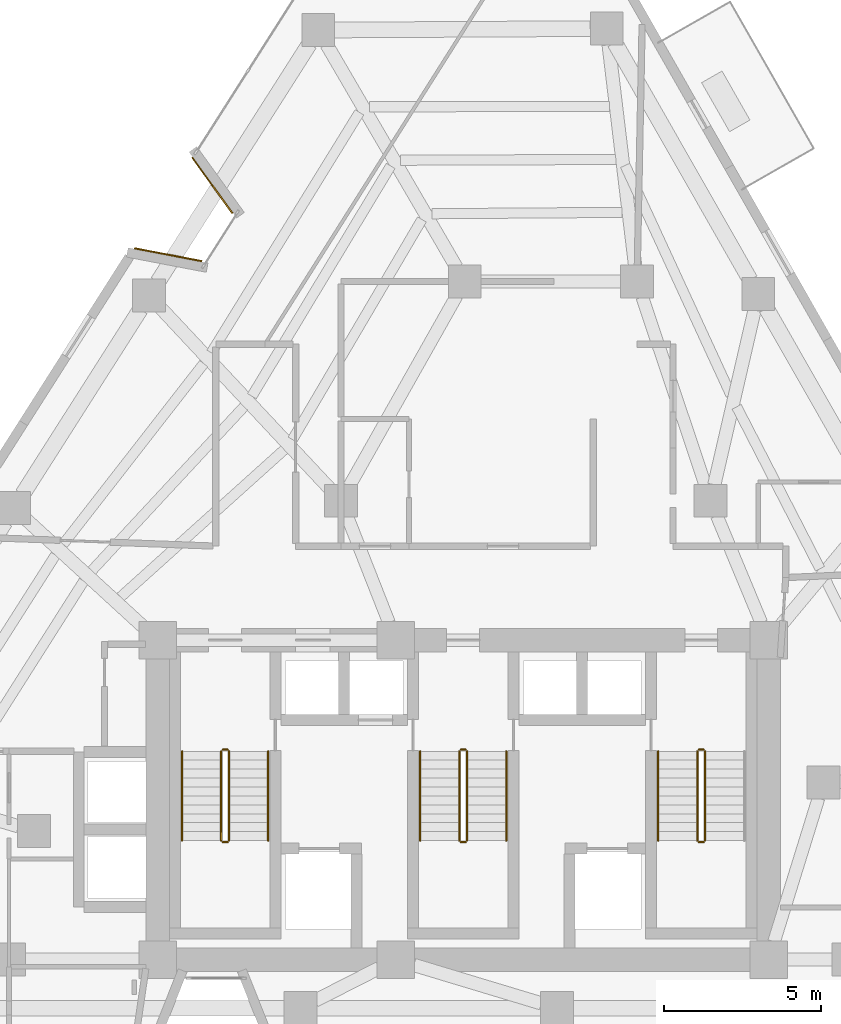
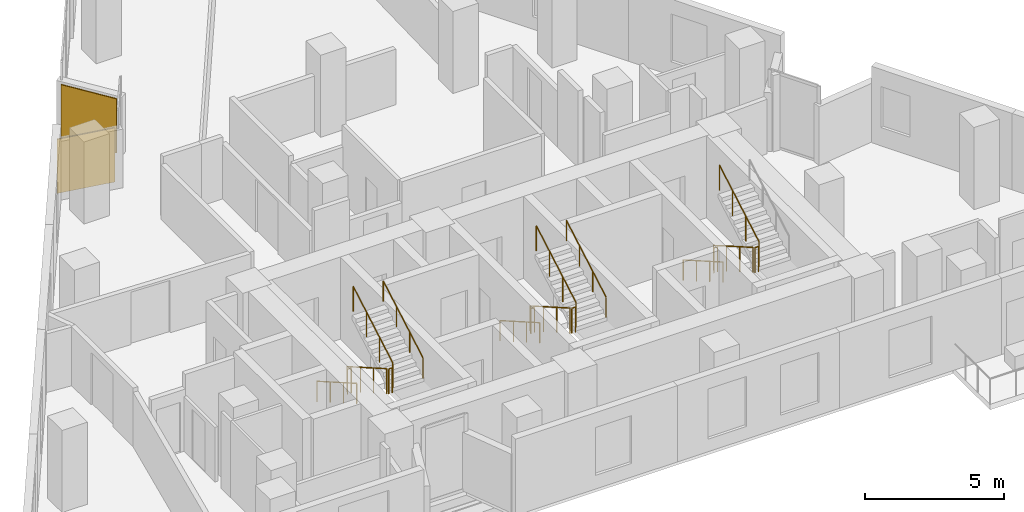
# One storey, part 11 of 12: 17 railings, 2 coverings.
"""IFC4 building model written with IfcOpenShell, lengths in metres."""

from ifc_helpers import new_model, si_unit, direction, frame, origin, origin_2d, place, context, subcontext, project, spatial, rectangle, circle, extrude, material, layer, layer_set, type_object, element, save


model = new_model("IFC4")

# Units and contexts
model_context = context("Model", 3, precision=1e-05, world=origin(), true_north=direction((0.0, 1.0)))
body_context = subcontext(model_context, "Body", "Model", "MODEL_VIEW")
ifc_project = project(units=[si_unit("LENGTHUNIT", "METRE"), si_unit("AREAUNIT", "SQUARE_METRE"), si_unit("VOLUMEUNIT", "CUBIC_METRE"), si_unit("PLANEANGLEUNIT", "RADIAN"), si_unit("MASSUNIT", "GRAM", prefix="KILO")], contexts=[model_context])

# Site, building, storey
site_placement = place(None, origin())
site = spatial("IfcSite", under=ifc_project, at=site_placement, CompositionType="ELEMENT")
building_placement = place(site_placement, origin())
building = spatial("IfcBuilding", under=site, at=building_placement, Name="Almagre Mirador Tower", CompositionType="ELEMENT")
storey_placement = place(building_placement, frame((0.0, 0.0, 139.199951171875)))
storey = spatial("IfcBuildingStorey", under=building, at=storey_placement, Name="L35", CompositionType="ELEMENT", Elevation=139.199951171875)

# Coverings
ifc_material_1 = material(Name="Almagre terracotta architectural cladding", Category="masonry")
ifc_layer = layer(ifc_material_1, 0.044921875)
ifc_layer_set = layer_set([ifc_layer], Name="Almagre terracotta architectural cladding")
covering_type = type_object("IfcCoveringType", Name="COV-CLAD-ALMAGRE", PredefinedType="CLADDING", material=ifc_layer_set)
for number, where, z_axis, x_axis, name in (
    (1, (27.880859375, 27.054443359375, 0.10009765625), (0.0, 0.0, 1.0), (0.982247984134, -0.187587040235, 0.0), "L35 almagre terracotta pier cladding"),
    (2, (29.2900390625, 29.26806640625, 0.10009765625), (0.0, 0.0, 1.0), (-0.585226601767, 0.810869795087, 0.0), "L35 almagre terracotta pier cladding"),
):
    element("IfcCovering", number, at=place(storey_placement, frame(where, z_axis=z_axis, x_axis=x_axis)), inside=storey, type_object=covering_type, Name=name, PredefinedType="CLADDING", context=body_context, shape_type="SweptSolid", body=[
        extrude(rectangle(XDim=2.194091796875, YDim=0.044921875, at=origin_2d()), origin(), (0.0, 0.0, 1.0), 2.375),
    ])

# Railings
ifc_material_2 = material(Name="Painted galvanized steel", Category="steel")
railing_type_1 = type_object("IfcRailingType", Name="RLG-GRD-1100", PredefinedType="GUARDRAIL", material=ifc_material_2)
railing_1_placement = place(storey_placement, frame((29.574951171875, 11.199951171875, 0.16357421875)))
element("IfcRailing", 3, at=railing_1_placement, inside=storey, type_object=railing_type_1, Name="L35 ST-1 stair guard 1", PredefinedType="GUARDRAIL", context=body_context, shape_type="SweptSolid", body=[
    extrude(circle(Radius=0.02392578125, at=origin_2d()), frame((0.0, 0.0, 1.09619140625), z_axis=(0.0, -0.867194282975, 0.497969954491), x_axis=(1.0, 0.0, 0.0)), (0.0, 0.0, 1.0), 3.286376953125),
    extrude(circle(Radius=0.02099609375, at=origin_2d()), origin(), (0.0, 0.0, 1.0), 1.072021484375),
    extrude(circle(Radius=0.02099609375, at=origin_2d()), frame((0.0, -0.949951171875, 0.54541015625)), (0.0, 0.0, 1.0), 1.072021484375),
    extrude(circle(Radius=0.02099609375, at=origin_2d()), frame((0.0, -1.89990234375, 1.091064453125)), (0.0, 0.0, 1.0), 1.072021484375),
    extrude(circle(Radius=0.02099609375, at=origin_2d()), frame((0.0, -2.849853515625, 1.636474609375)), (0.0, 0.0, 1.0), 1.072021484375),
])
railing_2_placement = place(storey_placement, frame((29.625, 8.300048828125, 1.800048828125)))
element("IfcRailing", 4, at=railing_2_placement, inside=storey, type_object=railing_type_1, Name="L35 ST-1 stair guard 2", PredefinedType="GUARDRAIL", context=body_context, shape_type="SweptSolid", body=[
    extrude(circle(Radius=0.02392578125, at=origin_2d()), frame((0.0, 0.0, 1.09619140625), z_axis=(1.0, 0.0, 0.0), x_axis=(0.0, 1.0, 0.0)), (0.0, 0.0, 1.0), 0.14990234375),
    extrude(circle(Radius=0.02099609375, at=origin_2d()), origin(), (0.0, 0.0, 1.0), 1.072021484375),
    extrude(circle(Radius=0.02099609375, at=origin_2d()), frame((0.14990234375, 0.0, 0.0)), (0.0, 0.0, 1.0), 1.072021484375),
])
railing_3_placement = place(storey_placement, frame((29.824951171875, 8.35009765625, 1.963623046875)))
element("IfcRailing", 5, at=railing_3_placement, inside=storey, type_object=railing_type_1, Name="L35 ST-1 stair guard 3", PredefinedType="GUARDRAIL", context=body_context, shape_type="SweptSolid", body=[
    extrude(circle(Radius=0.02392578125, at=origin_2d()), frame((0.0, 0.0, 1.09619140625), z_axis=(0.0, 0.867194282975, 0.497969954491), x_axis=(-1.0, 0.0, 0.0)), (0.0, 0.0, 1.0), 3.286376953125),
    extrude(circle(Radius=0.02099609375, at=origin_2d()), origin(), (0.0, 0.0, 1.0), 1.072021484375),
    extrude(circle(Radius=0.02099609375, at=origin_2d()), frame((0.0, 0.949951171875, 0.54541015625)), (0.0, 0.0, 1.0), 1.072021484375),
    extrude(circle(Radius=0.02099609375, at=origin_2d()), frame((0.0, 1.89990234375, 1.091064453125)), (0.0, 0.0, 1.0), 1.072021484375),
    extrude(circle(Radius=0.02099609375, at=origin_2d()), frame((0.0, 2.849853515625, 1.636474609375)), (0.0, 0.0, 1.0), 1.072021484375),
])
railing_4_placement = place(storey_placement, frame((29.625, 11.25, 0.0)))
element("IfcRailing", 6, at=railing_4_placement, inside=storey, type_object=railing_type_1, Name="L35 ST-1 stair guard 4", PredefinedType="GUARDRAIL", context=body_context, shape_type="SweptSolid", body=[
    extrude(circle(Radius=0.02392578125, at=origin_2d()), frame((0.0, 0.0, 1.09619140625), z_axis=(1.0, 0.0, 0.0), x_axis=(0.0, 1.0, 0.0)), (0.0, 0.0, 1.0), 0.14990234375),
    extrude(circle(Radius=0.02099609375, at=origin_2d()), origin(), (0.0, 0.0, 1.0), 1.072021484375),
    extrude(circle(Radius=0.02099609375, at=origin_2d()), frame((0.14990234375, 0.0, 0.0)), (0.0, 0.0, 1.0), 1.072021484375),
])
railing_5_placement = place(storey_placement, frame((37.175048828125, 11.199951171875, 0.16357421875)))
element("IfcRailing", 7, at=railing_5_placement, inside=storey, type_object=railing_type_1, Name="L35 ST-2 stair guard 1", PredefinedType="GUARDRAIL", context=body_context, shape_type="SweptSolid", body=[
    extrude(circle(Radius=0.02392578125, at=origin_2d()), frame((0.0, 0.0, 1.09619140625), z_axis=(0.0, -0.867194282975, 0.497969954491), x_axis=(1.0, 0.0, 0.0)), (0.0, 0.0, 1.0), 3.286376953125),
    extrude(circle(Radius=0.02099609375, at=origin_2d()), origin(), (0.0, 0.0, 1.0), 1.072021484375),
    extrude(circle(Radius=0.02099609375, at=origin_2d()), frame((0.0, -0.949951171875, 0.54541015625)), (0.0, 0.0, 1.0), 1.072021484375),
    extrude(circle(Radius=0.02099609375, at=origin_2d()), frame((0.0, -1.89990234375, 1.091064453125)), (0.0, 0.0, 1.0), 1.072021484375),
    extrude(circle(Radius=0.02099609375, at=origin_2d()), frame((0.0, -2.849853515625, 1.636474609375)), (0.0, 0.0, 1.0), 1.072021484375),
])
railing_6_placement = place(storey_placement, frame((37.22509765625, 8.300048828125, 1.800048828125)))
element("IfcRailing", 8, at=railing_6_placement, inside=storey, type_object=railing_type_1, Name="L35 ST-2 stair guard 2", PredefinedType="GUARDRAIL", context=body_context, shape_type="SweptSolid", body=[
    extrude(circle(Radius=0.02392578125, at=origin_2d()), frame((0.0, 0.0, 1.09619140625), z_axis=(1.0, 0.0, 0.0), x_axis=(0.0, 1.0, 0.0)), (0.0, 0.0, 1.0), 0.14990234375),
    extrude(circle(Radius=0.02099609375, at=origin_2d()), origin(), (0.0, 0.0, 1.0), 1.072021484375),
    extrude(circle(Radius=0.02099609375, at=origin_2d()), frame((0.14990234375, 0.0, 0.0)), (0.0, 0.0, 1.0), 1.072021484375),
])
railing_7_placement = place(storey_placement, frame((37.425048828125, 8.35009765625, 1.963623046875)))
element("IfcRailing", 9, at=railing_7_placement, inside=storey, type_object=railing_type_1, Name="L35 ST-2 stair guard 3", PredefinedType="GUARDRAIL", context=body_context, shape_type="SweptSolid", body=[
    extrude(circle(Radius=0.02392578125, at=origin_2d()), frame((0.0, 0.0, 1.09619140625), z_axis=(0.0, 0.867194282975, 0.497969954491), x_axis=(-1.0, 0.0, 0.0)), (0.0, 0.0, 1.0), 3.286376953125),
    extrude(circle(Radius=0.02099609375, at=origin_2d()), origin(), (0.0, 0.0, 1.0), 1.072021484375),
    extrude(circle(Radius=0.02099609375, at=origin_2d()), frame((0.0, 0.949951171875, 0.54541015625)), (0.0, 0.0, 1.0), 1.072021484375),
    extrude(circle(Radius=0.02099609375, at=origin_2d()), frame((0.0, 1.89990234375, 1.091064453125)), (0.0, 0.0, 1.0), 1.072021484375),
    extrude(circle(Radius=0.02099609375, at=origin_2d()), frame((0.0, 2.849853515625, 1.636474609375)), (0.0, 0.0, 1.0), 1.072021484375),
])
railing_8_placement = place(storey_placement, frame((37.22509765625, 11.25, 0.0)))
element("IfcRailing", 10, at=railing_8_placement, inside=storey, type_object=railing_type_1, Name="L35 ST-2 stair guard 4", PredefinedType="GUARDRAIL", context=body_context, shape_type="SweptSolid", body=[
    extrude(circle(Radius=0.02392578125, at=origin_2d()), frame((0.0, 0.0, 1.09619140625), z_axis=(1.0, 0.0, 0.0), x_axis=(0.0, 1.0, 0.0)), (0.0, 0.0, 1.0), 0.14990234375),
    extrude(circle(Radius=0.02099609375, at=origin_2d()), origin(), (0.0, 0.0, 1.0), 1.072021484375),
    extrude(circle(Radius=0.02099609375, at=origin_2d()), frame((0.14990234375, 0.0, 0.0)), (0.0, 0.0, 1.0), 1.072021484375),
])
railing_9_placement = place(storey_placement, frame((44.77490234375, 11.199951171875, 0.16357421875)))
element("IfcRailing", 11, at=railing_9_placement, inside=storey, type_object=railing_type_1, Name="L35 ST-3 stair guard 1", PredefinedType="GUARDRAIL", context=body_context, shape_type="SweptSolid", body=[
    extrude(circle(Radius=0.02392578125, at=origin_2d()), frame((0.0, 0.0, 1.09619140625), z_axis=(0.0, -0.867194282975, 0.497969954491), x_axis=(1.0, 0.0, 0.0)), (0.0, 0.0, 1.0), 3.286376953125),
    extrude(circle(Radius=0.02099609375, at=origin_2d()), origin(), (0.0, 0.0, 1.0), 1.072021484375),
    extrude(circle(Radius=0.02099609375, at=origin_2d()), frame((0.0, -0.949951171875, 0.54541015625)), (0.0, 0.0, 1.0), 1.072021484375),
    extrude(circle(Radius=0.02099609375, at=origin_2d()), frame((0.0, -1.89990234375, 1.091064453125)), (0.0, 0.0, 1.0), 1.072021484375),
    extrude(circle(Radius=0.02099609375, at=origin_2d()), frame((0.0, -2.849853515625, 1.636474609375)), (0.0, 0.0, 1.0), 1.072021484375),
])
railing_10_placement = place(storey_placement, frame((44.824951171875, 8.300048828125, 1.800048828125)))
element("IfcRailing", 12, at=railing_10_placement, inside=storey, type_object=railing_type_1, Name="L35 ST-3 stair guard 2", PredefinedType="GUARDRAIL", context=body_context, shape_type="SweptSolid", body=[
    extrude(circle(Radius=0.02392578125, at=origin_2d()), frame((0.0, 0.0, 1.09619140625), z_axis=(1.0, 0.0, 0.0), x_axis=(0.0, 1.0, 0.0)), (0.0, 0.0, 1.0), 0.150146484375),
    extrude(circle(Radius=0.02099609375, at=origin_2d()), origin(), (0.0, 0.0, 1.0), 1.072021484375),
    extrude(circle(Radius=0.02099609375, at=origin_2d()), frame((0.150146484375, 0.0, 0.0)), (0.0, 0.0, 1.0), 1.072021484375),
])
railing_11_placement = place(storey_placement, frame((45.02490234375, 8.35009765625, 1.963623046875)))
element("IfcRailing", 13, at=railing_11_placement, inside=storey, type_object=railing_type_1, Name="L35 ST-3 stair guard 3", PredefinedType="GUARDRAIL", context=body_context, shape_type="SweptSolid", body=[
    extrude(circle(Radius=0.02392578125, at=origin_2d()), frame((0.0, 0.0, 1.09619140625), z_axis=(0.0, 0.867194282975, 0.497969954491), x_axis=(-1.0, 0.0, 0.0)), (0.0, 0.0, 1.0), 3.286376953125),
    extrude(circle(Radius=0.02099609375, at=origin_2d()), origin(), (0.0, 0.0, 1.0), 1.072021484375),
    extrude(circle(Radius=0.02099609375, at=origin_2d()), frame((0.0, 0.949951171875, 0.54541015625)), (0.0, 0.0, 1.0), 1.072021484375),
    extrude(circle(Radius=0.02099609375, at=origin_2d()), frame((0.0, 1.89990234375, 1.091064453125)), (0.0, 0.0, 1.0), 1.072021484375),
    extrude(circle(Radius=0.02099609375, at=origin_2d()), frame((0.0, 2.849853515625, 1.636474609375)), (0.0, 0.0, 1.0), 1.072021484375),
])
railing_12_placement = place(storey_placement, frame((44.824951171875, 11.25, 0.0)))
element("IfcRailing", 14, at=railing_12_placement, inside=storey, type_object=railing_type_1, Name="L35 ST-3 stair guard 4", PredefinedType="GUARDRAIL", context=body_context, shape_type="SweptSolid", body=[
    extrude(circle(Radius=0.02392578125, at=origin_2d()), frame((0.0, 0.0, 1.09619140625), z_axis=(1.0, 0.0, 0.0), x_axis=(0.0, 1.0, 0.0)), (0.0, 0.0, 1.0), 0.150146484375),
    extrude(circle(Radius=0.02099609375, at=origin_2d()), origin(), (0.0, 0.0, 1.0), 1.072021484375),
    extrude(circle(Radius=0.02099609375, at=origin_2d()), frame((0.150146484375, 0.0, 0.0)), (0.0, 0.0, 1.0), 1.072021484375),
])
ifc_material_3 = material(Name="Brushed stainless steel", Category="steel")
railing_type_2 = type_object("IfcRailingType", Name="RLG-HND-915", PredefinedType="HANDRAIL", material=ifc_material_3)
railing_13_placement = place(storey_placement, frame((28.324951171875, 11.199951171875, 0.16357421875)))
element("IfcRailing", 15, at=railing_13_placement, inside=storey, type_object=railing_type_2, Name="L35 ST-1 stair handrail 1", PredefinedType="HANDRAIL", context=body_context, shape_type="SweptSolid", body=[
    extrude(circle(Radius=0.02392578125, at=origin_2d()), frame((0.0, 0.0, 0.89111328125), z_axis=(0.0, -0.867194282975, 0.497969954491), x_axis=(1.0, 0.0, 0.0)), (0.0, 0.0, 1.0), 3.286376953125),
    extrude(circle(Radius=0.02099609375, at=origin_2d()), origin(), (0.0, 0.0, 1.0), 0.866943359375),
    extrude(circle(Radius=0.02099609375, at=origin_2d()), frame((0.0, -0.949951171875, 0.54541015625)), (0.0, 0.0, 1.0), 0.866943359375),
    extrude(circle(Radius=0.02099609375, at=origin_2d()), frame((0.0, -1.89990234375, 1.091064453125)), (0.0, 0.0, 1.0), 0.866943359375),
    extrude(circle(Radius=0.02099609375, at=origin_2d()), frame((0.0, -2.849853515625, 1.636474609375)), (0.0, 0.0, 1.0), 0.866943359375),
])
railing_14_placement = place(storey_placement, frame((31.074951171875, 8.35009765625, 1.963623046875)))
element("IfcRailing", 16, at=railing_14_placement, inside=storey, type_object=railing_type_2, Name="L35 ST-1 stair handrail 2", PredefinedType="HANDRAIL", context=body_context, shape_type="SweptSolid", body=[
    extrude(circle(Radius=0.02392578125, at=origin_2d()), frame((0.0, 0.0, 0.89111328125), z_axis=(0.0, 0.867194282975, 0.497969954491), x_axis=(-1.0, 0.0, 0.0)), (0.0, 0.0, 1.0), 3.286376953125),
    extrude(circle(Radius=0.02099609375, at=origin_2d()), origin(), (0.0, 0.0, 1.0), 0.866943359375),
    extrude(circle(Radius=0.02099609375, at=origin_2d()), frame((0.0, 0.949951171875, 0.54541015625)), (0.0, 0.0, 1.0), 0.866943359375),
    extrude(circle(Radius=0.02099609375, at=origin_2d()), frame((0.0, 1.89990234375, 1.091064453125)), (0.0, 0.0, 1.0), 0.866943359375),
    extrude(circle(Radius=0.02099609375, at=origin_2d()), frame((0.0, 2.849853515625, 1.636474609375)), (0.0, 0.0, 1.0), 0.866943359375),
])
railing_15_placement = place(storey_placement, frame((35.925048828125, 11.199951171875, 0.16357421875)))
element("IfcRailing", 17, at=railing_15_placement, inside=storey, type_object=railing_type_2, Name="L35 ST-2 stair handrail 1", PredefinedType="HANDRAIL", context=body_context, shape_type="SweptSolid", body=[
    extrude(circle(Radius=0.02392578125, at=origin_2d()), frame((0.0, 0.0, 0.89111328125), z_axis=(0.0, -0.867194282975, 0.497969954491), x_axis=(1.0, 0.0, 0.0)), (0.0, 0.0, 1.0), 3.286376953125),
    extrude(circle(Radius=0.02099609375, at=origin_2d()), origin(), (0.0, 0.0, 1.0), 0.866943359375),
    extrude(circle(Radius=0.02099609375, at=origin_2d()), frame((0.0, -0.949951171875, 0.54541015625)), (0.0, 0.0, 1.0), 0.866943359375),
    extrude(circle(Radius=0.02099609375, at=origin_2d()), frame((0.0, -1.89990234375, 1.091064453125)), (0.0, 0.0, 1.0), 0.866943359375),
    extrude(circle(Radius=0.02099609375, at=origin_2d()), frame((0.0, -2.849853515625, 1.636474609375)), (0.0, 0.0, 1.0), 0.866943359375),
])
railing_16_placement = place(storey_placement, frame((38.675048828125, 8.35009765625, 1.963623046875)))
element("IfcRailing", 18, at=railing_16_placement, inside=storey, type_object=railing_type_2, Name="L35 ST-2 stair handrail 2", PredefinedType="HANDRAIL", context=body_context, shape_type="SweptSolid", body=[
    extrude(circle(Radius=0.02392578125, at=origin_2d()), frame((0.0, 0.0, 0.89111328125), z_axis=(0.0, 0.867194282975, 0.497969954491), x_axis=(-1.0, 0.0, 0.0)), (0.0, 0.0, 1.0), 3.286376953125),
    extrude(circle(Radius=0.02099609375, at=origin_2d()), origin(), (0.0, 0.0, 1.0), 0.866943359375),
    extrude(circle(Radius=0.02099609375, at=origin_2d()), frame((0.0, 0.949951171875, 0.54541015625)), (0.0, 0.0, 1.0), 0.866943359375),
    extrude(circle(Radius=0.02099609375, at=origin_2d()), frame((0.0, 1.89990234375, 1.091064453125)), (0.0, 0.0, 1.0), 0.866943359375),
    extrude(circle(Radius=0.02099609375, at=origin_2d()), frame((0.0, 2.849853515625, 1.636474609375)), (0.0, 0.0, 1.0), 0.866943359375),
])
railing_17_placement = place(storey_placement, frame((43.52490234375, 11.199951171875, 0.16357421875)))
element("IfcRailing", 19, at=railing_17_placement, inside=storey, type_object=railing_type_2, Name="L35 ST-3 stair handrail 1", PredefinedType="HANDRAIL", context=body_context, shape_type="SweptSolid", body=[
    extrude(circle(Radius=0.02392578125, at=origin_2d()), frame((0.0, 0.0, 0.89111328125), z_axis=(0.0, -0.867194282975, 0.497969954491), x_axis=(1.0, 0.0, 0.0)), (0.0, 0.0, 1.0), 3.286376953125),
    extrude(circle(Radius=0.02099609375, at=origin_2d()), origin(), (0.0, 0.0, 1.0), 0.866943359375),
    extrude(circle(Radius=0.02099609375, at=origin_2d()), frame((0.0, -0.949951171875, 0.54541015625)), (0.0, 0.0, 1.0), 0.866943359375),
    extrude(circle(Radius=0.02099609375, at=origin_2d()), frame((0.0, -1.89990234375, 1.091064453125)), (0.0, 0.0, 1.0), 0.866943359375),
    extrude(circle(Radius=0.02099609375, at=origin_2d()), frame((0.0, -2.849853515625, 1.636474609375)), (0.0, 0.0, 1.0), 0.866943359375),
])

save(model, "model.ifc")
